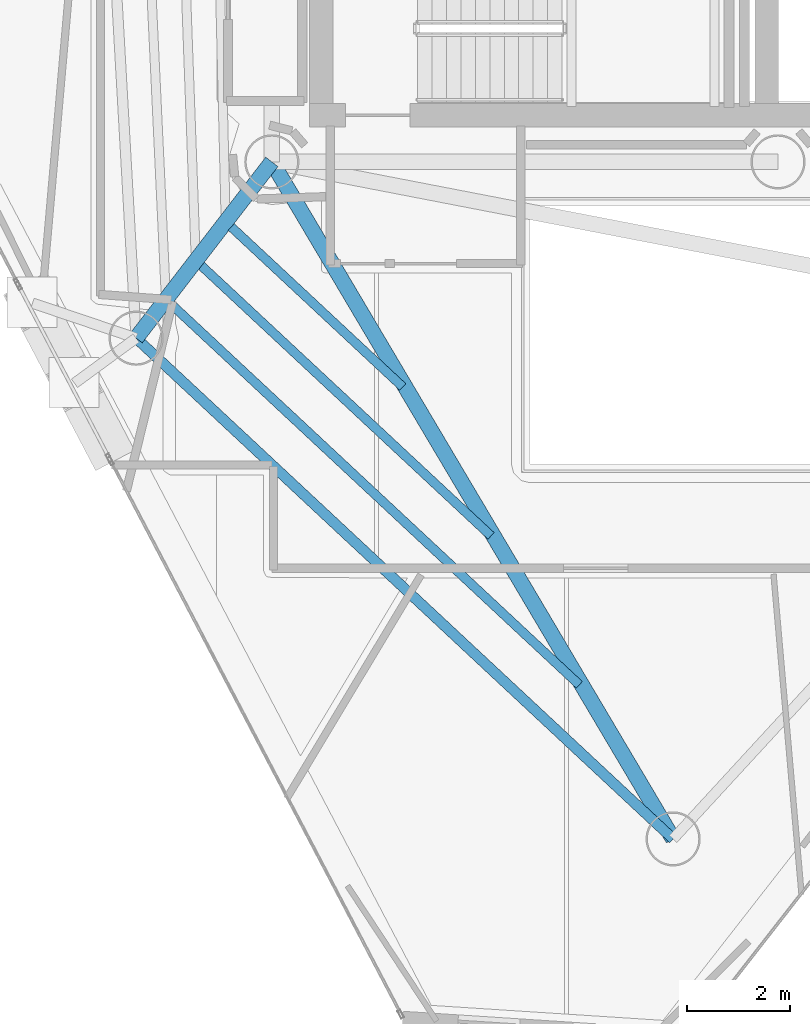
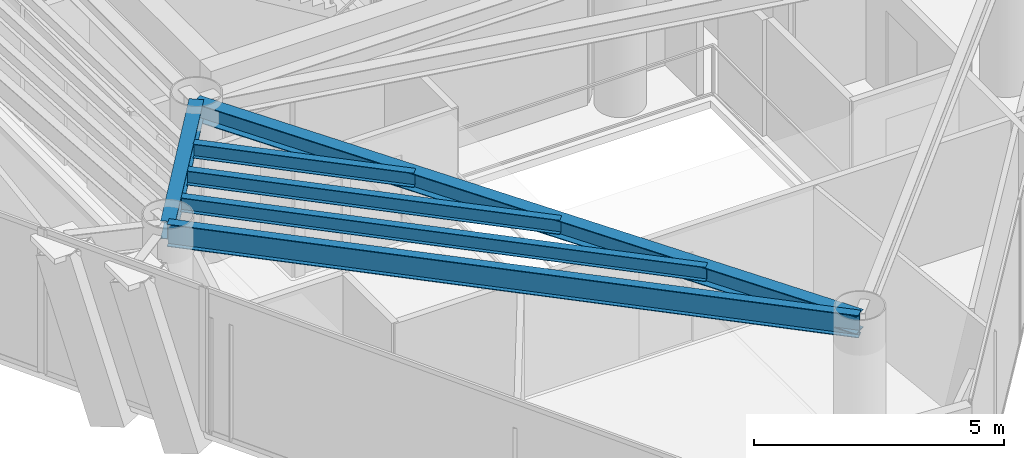
# One storey, part 3 of 18: 6 beams.
"""IFC4 building model written with IfcOpenShell, lengths in metres."""

from ifc_helpers import new_model, si_unit, direction, frame, origin, origin_2d, place, context, subcontext, project, spatial, i_section, extrude, material, material_profile, profile_set, type_object, element, save


model = new_model("IFC4")

# Units and contexts
model_context = context("Model", 3, precision=1e-05, world=origin(), true_north=direction((0.0, 1.0)))
body_context = subcontext(model_context, "Body", "Model", "MODEL_VIEW")
ifc_project = project(units=[si_unit("LENGTHUNIT", "METRE"), si_unit("AREAUNIT", "SQUARE_METRE"), si_unit("VOLUMEUNIT", "CUBIC_METRE"), si_unit("PLANEANGLEUNIT", "RADIAN"), si_unit("MASSUNIT", "GRAM", prefix="KILO")], contexts=[model_context])

# Site, building, storey
site_placement = place(None, origin())
site = spatial("IfcSite", under=ifc_project, at=site_placement, CompositionType="ELEMENT")
building_placement = place(site_placement, origin())
building = spatial("IfcBuilding", under=site, at=building_placement, Name="Qianvela Tower", CompositionType="ELEMENT")
storey_placement = place(building_placement, frame((0.0, 0.0, 264.89990234375)))
storey = spatial("IfcBuildingStorey", under=building, at=storey_placement, Name="L68", CompositionType="ELEMENT", Elevation=264.89990234375)

# Beams
ifc_material_1 = material(Name="Steel Q355B", Category="steel")
ifc_material_profile_1 = material_profile(ifc_material_1, i_section(OverallWidth=0.300048828125, OverallDepth=0.43994140625, WebThickness=0.010986328125, FlangeThickness=0.01806640625, at=origin_2d()), Name="HM440x300x11x18")
ifc_profile_set_1 = profile_set([ifc_material_profile_1], Name="Steel Q355B")
beam_type_1 = type_object("IfcBeamType", Name="BM-HM440-COLL", PredefinedType="BEAM", material=ifc_profile_set_1)
beam_1_placement = place(storey_placement, frame((28.60009765625, 23.85009765625, 3.298095703125), z_axis=(-0.610107831638, -0.792318391667, 0.0), x_axis=(0.792318391667, -0.610107831638, 0.0)))
element("IfcBeam", 1, at=beam_1_placement, inside=storey, type_object=beam_type_1, Name="L68 Radial Primary Floor Girder 4", PredefinedType="BEAM", context=body_context, shape_type="SweptSolid", body=[
    extrude(i_section(OverallWidth=0.300048828125, OverallDepth=0.43994140625, WebThickness=0.010986328125, FlangeThickness=0.01806640625, at=origin_2d()), origin(), (0.0, 0.0, 1.0), 4.3076171875),
])
beam_2_placement = place(storey_placement, frame((28.60009765625, 23.85009765625, 3.298095703125), z_axis=(0.509851140096, -0.860262643001, 0.0), x_axis=(0.860262643001, 0.509851140096, 0.0)))
element("IfcBeam", 2, at=beam_2_placement, inside=storey, type_object=beam_type_1, Name="L68 Radial Primary Floor Girder 5", PredefinedType="BEAM", context=body_context, shape_type="SweptSolid", body=[
    extrude(i_section(OverallWidth=0.300048828125, OverallDepth=0.43994140625, WebThickness=0.010986328125, FlangeThickness=0.01806640625, at=origin_2d()), origin(), (0.0, 0.0, 1.0), 15.2373046875),
])
ifc_material_2 = material(Name="Steel Q355B", Category="steel")
ifc_material_profile_2 = material_profile(ifc_material_2, i_section(OverallWidth=0.175048828125, OverallDepth=0.35009765625, WebThickness=0.007080078125, FlangeThickness=0.010986328125, at=origin_2d()), Name="HN350x175x7x11")
ifc_profile_set_2 = profile_set([ifc_material_profile_2], Name="Steel Q355B")
beam_type_2 = type_object("IfcBeamType", Name="BM-HN350-JOIST", PredefinedType="JOIST", material=ifc_profile_set_2)
beam_3_placement = place(storey_placement, frame((27.813232421875, 22.590087890625, 3.343017578125), z_axis=(0.731376968526, -0.681973408506, 0.0), x_axis=(0.681973408506, 0.731376968526, 0.0)))
element("IfcBeam", 3, at=beam_3_placement, inside=storey, type_object=beam_type_2, Name="L68 Secondary Composite Floor Joist 4.1", PredefinedType="JOIST", context=body_context, shape_type="SweptSolid", body=[
    extrude(i_section(OverallWidth=0.175048828125, OverallDepth=0.35009765625, WebThickness=0.007080078125, FlangeThickness=0.010986328125, at=origin_2d()), origin(), (0.0, 0.0, 1.0), 4.54150390625),
])
beam_4_placement = place(storey_placement, frame((27.235107421875, 21.839111328125, 3.343017578125), z_axis=(0.731379132366, -0.681971087906, 0.0), x_axis=(0.681971087906, 0.731379132366, 0.0)))
element("IfcBeam", 4, at=beam_4_placement, inside=storey, type_object=beam_type_2, Name="L68 Secondary Composite Floor Joist 4.2", PredefinedType="JOIST", context=body_context, shape_type="SweptSolid", body=[
    extrude(i_section(OverallWidth=0.175048828125, OverallDepth=0.35009765625, WebThickness=0.007080078125, FlangeThickness=0.010986328125, at=origin_2d()), origin(), (0.0, 0.0, 1.0), 7.6689453125),
])
beam_5_placement = place(storey_placement, frame((26.656982421875, 21.08837890625, 3.343017578125), z_axis=(0.731358246127, -0.681993486641, 0.0), x_axis=(0.681993486641, 0.731358246127, 0.0)))
element("IfcBeam", 5, at=beam_5_placement, inside=storey, type_object=beam_type_2, Name="L68 Secondary Composite Floor Joist 4.3", PredefinedType="JOIST", context=body_context, shape_type="SweptSolid", body=[
    extrude(i_section(OverallWidth=0.175048828125, OverallDepth=0.35009765625, WebThickness=0.007080078125, FlangeThickness=0.010986328125, at=origin_2d()), origin(), (0.0, 0.0, 1.0), 10.79638671875),
])
ifc_material_3 = material(Name="Steel Q355B", Category="steel")
ifc_material_profile_3 = material_profile(ifc_material_3, i_section(OverallWidth=0.199951171875, OverallDepth=0.550048828125, WebThickness=0.010009765625, FlangeThickness=0.01611328125, at=origin_2d()), Name="HN550x200x10x16")
ifc_profile_set_3 = profile_set([ifc_material_profile_3], Name="Steel Q355B")
beam_type_3 = type_object("IfcBeamType", Name="BM-HN550-GIRD", PredefinedType="BEAM", material=ifc_profile_set_3)
beam_6_placement = place(storey_placement, frame((25.971923828125, 20.43701171875, 3.2431640625), z_axis=(0.731363016694, -0.681988370731, 0.0), x_axis=(0.681988370731, 0.731363016694, 0.0)))
element("IfcBeam", 6, at=beam_6_placement, inside=storey, type_object=beam_type_3, Name="L68 Perimeter Ring Spandrel Girder 4", PredefinedType="BEAM", context=body_context, shape_type="SweptSolid", body=[
    extrude(i_section(OverallWidth=0.199951171875, OverallDepth=0.550048828125, WebThickness=0.010009765625, FlangeThickness=0.01611328125, at=origin_2d()), origin(), (0.0, 0.0, 1.0), 14.2158203125),
])

save(model, "model.ifc")
